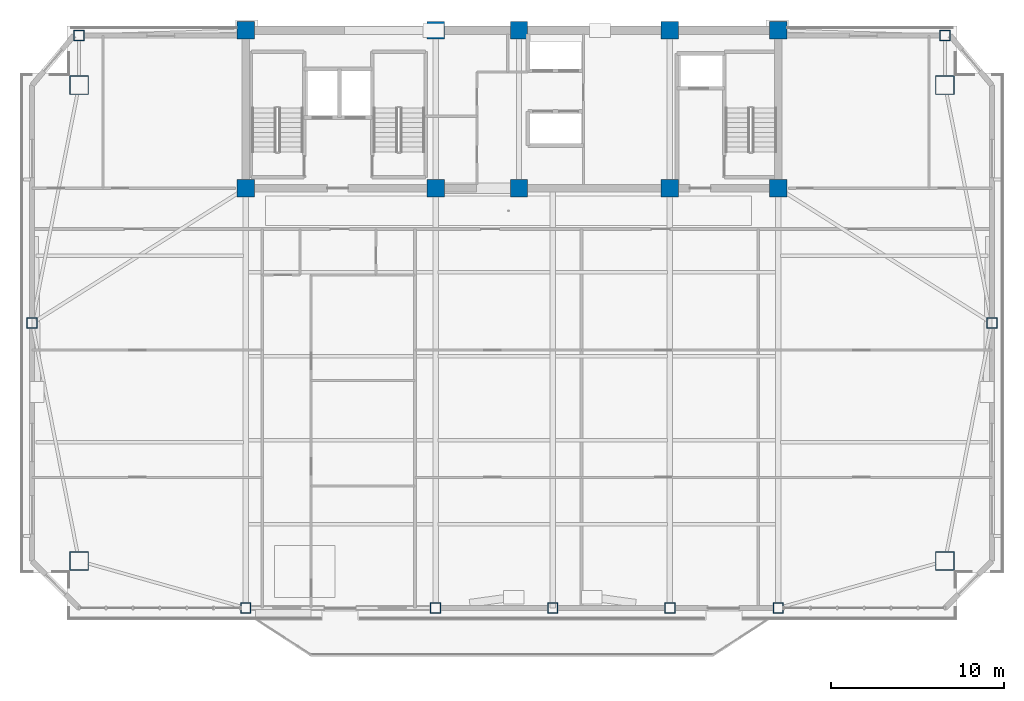
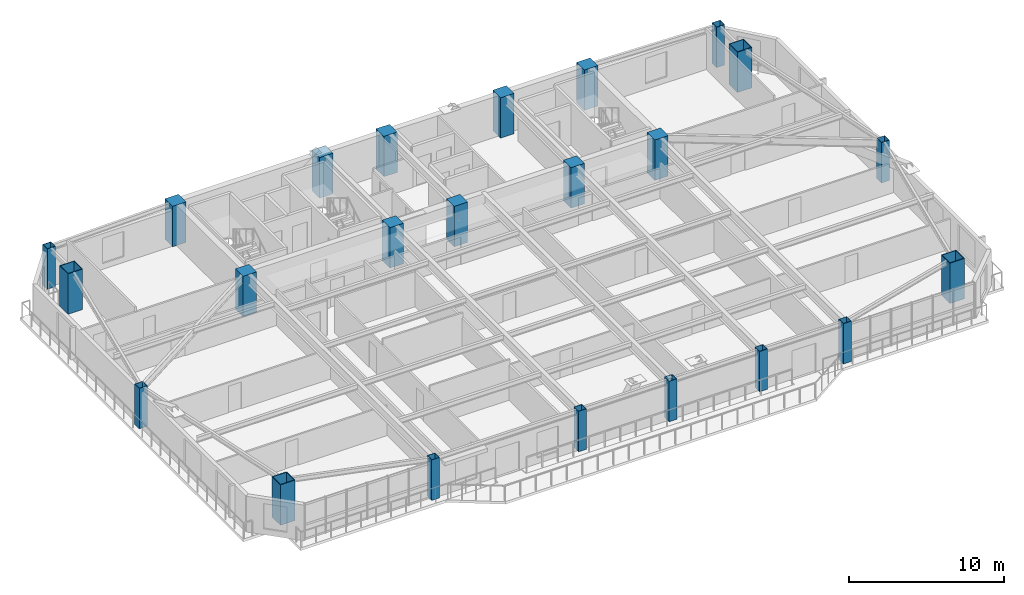
# One storey, part 1 of 16: 23 columns.
"""IFC4 building model written with IfcOpenShell, lengths in metres."""

import ifcopenshell
import ifcopenshell.guid

model = None  # the IFC model being written
_history = None  # IfcOwnerHistory: only IFC2X3 demands one
_inside = {}  # id of a spatial element -> (the spatial element, [elements in it])
_under = {}  # id of a project, library or spatial element -> (it, [spatial elements below it])
_declared = {}  # id of a project -> (the project, [libraries it declares])
_typed = {}  # id of a type object -> (the type object, [elements of that type])
_made_of = {}  # id of a material, layer set ... -> (it, [elements and type objects made of it])


def new_model(schema):
    """Start an empty IFC model of exactly this schema.

    Asked for "IFC4X3", IfcOpenShell would pick the latest addendum, in which some entities
    have other attributes; the version numbers below select the first issue.
    IFC2X3 requires an IfcOwnerHistory on every rooted entity: one is made here for all.
    """
    global model, _history
    if schema == "IFC4X3":
        model = ifcopenshell.file(schema_version=(4, 3, 0, 0))
    else:
        model = ifcopenshell.file(schema=schema)
    _inside.clear()
    _under.clear()
    _declared.clear()
    _typed.clear()
    _made_of.clear()
    _history = None
    if model.schema == "IFC2X3":
        org = make("IfcOrganization", Name="unknown")
        user = make(
            "IfcPersonAndOrganization",
            ThePerson=make("IfcPerson", FamilyName="unknown"),
            TheOrganization=org,
        )
        app = make(
            "IfcApplication",
            ApplicationDeveloper=org,
            Version="unknown",
            ApplicationFullName="unknown",
            ApplicationIdentifier="unknown",
        )
        _history = make(
            "IfcOwnerHistory",
            OwningUser=user,
            OwningApplication=app,
            ChangeAction="ADDED",
            CreationDate=0,
        )
    return model


def make(cls, **values):
    """One entity of the class cls with the attributes given. An attribute that is None is left unset."""
    return model.create_entity(
        cls, **{name: value for name, value in values.items() if value is not None}
    )


def rooted(cls, **values):
    """An entity with a GlobalId (a new one), such as an element, a storey or a relation."""
    return make(cls, GlobalId=ifcopenshell.guid.new(), OwnerHistory=_history, **values)


def si_unit(unit_type, name, prefix=None):
    """IfcSIUnit, for example si_unit("LENGTHUNIT", "METRE", prefix="MILLI")."""
    return make("IfcSIUnit", UnitType=unit_type, Prefix=prefix, Name=name)


def assignment(units):
    """IfcUnitAssignment: the units of a project."""
    return None if units is None else make("IfcUnitAssignment", Units=units)


def point(xyz):
    """IfcCartesianPoint."""
    return None if xyz is None else make("IfcCartesianPoint", Coordinates=xyz)


def direction(xyz):
    """IfcDirection."""
    return None if xyz is None else make("IfcDirection", DirectionRatios=xyz)


def frame(location, z_axis=None, x_axis=None):
    """IfcAxis2Placement3D, a coordinate frame: its origin and axes. An axis left out is left unset."""
    return make(
        "IfcAxis2Placement3D",
        Location=point(location),
        Axis=direction(z_axis),
        RefDirection=direction(x_axis),
    )


def frame_2d(location, x_axis=None):
    """IfcAxis2Placement2D, a coordinate frame in the plane: its origin and x axis."""
    return make(
        "IfcAxis2Placement2D", Location=point(location), RefDirection=direction(x_axis)
    )


def origin():
    """The frame at (0, 0, 0) with its axes left unset."""
    return frame((0.0, 0.0, 0.0))


def origin_2d():
    """The frame at (0, 0) in the plane with its x axis left unset."""
    return frame_2d((0.0, 0.0))


def place(relative_to, where):
    """IfcLocalPlacement: puts the frame where relative to a parent placement (None: the world)."""
    return make(
        "IfcLocalPlacement", PlacementRelTo=relative_to, RelativePlacement=where
    )


def context(
    kind, dimensions, precision=None, world=None, true_north=None, identifier=None
):
    """IfcGeometricRepresentationContext, for example the 3D "Model" context."""
    return make(
        "IfcGeometricRepresentationContext",
        ContextIdentifier=identifier,
        ContextType=kind,
        CoordinateSpaceDimension=dimensions,
        Precision=precision,
        WorldCoordinateSystem=world,
        TrueNorth=true_north,
    )


def subcontext(parent, identifier, kind, view, scale=None):
    """IfcGeometricRepresentationSubContext, for example "Body" below "Model"."""
    return make(
        "IfcGeometricRepresentationSubContext",
        ContextIdentifier=identifier,
        ContextType=kind,
        ParentContext=parent,
        TargetScale=scale,
        TargetView=view,
    )


def project(units=None, contexts=None):
    """IfcProject with its units and contexts."""
    return rooted(
        "IfcProject",
        Name="project",
        RepresentationContexts=contexts,
        UnitsInContext=assignment(units),
    )


def spatial(cls, under=None, at=None, **own):
    """A site, building, storey or space (cls), placed at a placement, below another one or the project."""
    s = rooted(cls, ObjectPlacement=at, **own)
    if under is not None:
        _under.setdefault(under.id(), (under, []))[1].append(s)
    return s


def profile(cls, at=None, kind="AREA", **sizes):
    """A parametric profile (cls). Its sizes go by their IFC names, for example OverallWidth=200.0."""
    return make(cls, ProfileType=kind, Position=at, **sizes)


def rectangle(**sizes):
    """IfcRectangleProfileDef."""
    return profile("IfcRectangleProfileDef", **sizes)


def hollow_rectangle(**sizes):
    """IfcRectangleHollowProfileDef."""
    return profile("IfcRectangleHollowProfileDef", **sizes)


def extrude(swept, where, along, depth):
    """IfcExtrudedAreaSolid: the profile swept, set in the frame where, extruded along a direction by depth."""
    return make(
        "IfcExtrudedAreaSolid",
        SweptArea=swept,
        Position=where,
        ExtrudedDirection=direction(along),
        Depth=depth,
    )


def shape(context_of_items, identifier, shape_type, items):
    """IfcShapeRepresentation: the items that make up one representation, for example the "Body"."""
    return make(
        "IfcShapeRepresentation",
        ContextOfItems=context_of_items,
        RepresentationIdentifier=identifier,
        RepresentationType=shape_type,
        Items=items,
    )


def source(mapping_origin, context_of_items, identifier, shape_type, items):
    """IfcRepresentationMap: a shape defined once, which mapped items show again and again."""
    return make(
        "IfcRepresentationMap",
        MappingOrigin=mapping_origin,
        MappedRepresentation=shape(context_of_items, identifier, shape_type, items),
    )


def transform(
    local_origin,
    x_axis=None,
    y_axis=None,
    z_axis=None,
    scale=None,
    scale2=None,
    scale3=None,
    uniform=True,
):
    """IfcCartesianTransformationOperator3D, or its non-uniform kind. x_axis, y_axis, z_axis: its Axis1, 2, 3."""
    if uniform:
        return make(
            "IfcCartesianTransformationOperator3D",
            Axis1=direction(x_axis),
            Axis2=direction(y_axis),
            LocalOrigin=point(local_origin),
            Scale=scale,
            Axis3=direction(z_axis),
        )
    return make(
        "IfcCartesianTransformationOperator3DnonUniform",
        Axis1=direction(x_axis),
        Axis2=direction(y_axis),
        LocalOrigin=point(local_origin),
        Scale=scale,
        Axis3=direction(z_axis),
        Scale2=scale2,
        Scale3=scale3,
    )


def mapped(mapping_source, mapping_target):
    """IfcMappedItem: shows the shape of a source again, moved by a transform."""
    return make(
        "IfcMappedItem", MappingSource=mapping_source, MappingTarget=mapping_target
    )


def material(Name=None, Category=None):
    """IfcMaterial."""
    return make("IfcMaterial", Name=Name, Category=Category)


def material_profile(
    of_material, cross_section, Name=None, Category=None, Priority=None
):
    """IfcMaterialProfile: a cross section and its material."""
    return make(
        "IfcMaterialProfile",
        Name=Name,
        Material=of_material,
        Profile=cross_section,
        Priority=Priority,
        Category=Category,
    )


def profile_set(profiles, Name=None, composite=None):
    """IfcMaterialProfileSet."""
    return make(
        "IfcMaterialProfileSet",
        Name=Name,
        MaterialProfiles=profiles,
        CompositeProfile=composite,
    )


def made_of(thing, what):
    """Note that an element or type object is made of a material, layer set ...; save() writes the relation."""
    if what is not None:
        _made_of.setdefault(what.id(), (what, []))[1].append(thing)
    return thing


def type_object(cls, material=None, **own):
    """A type object (cls), such as IfcWallType, which elements share."""
    return made_of(rooted(cls, **own), material)


def element(
    cls,
    number,
    at=None,
    inside=None,
    cuts=None,
    type_object=None,
    material=None,
    context=None,
    identifier="Body",
    shape_type=None,
    held_by="IfcProductDefinitionShape",
    body=None,
    shapes=None,
    **own,
):
    """One element of the class cls, such as IfcWall. Its Tag is "e" and its number.

    at: its placement. inside: the storey or other place that contains it. cuts: it is an
    opening in that element (IfcRelVoidsElement). A single representation is given by context,
    identifier, shape_type and body (its items); several are given by shapes. held_by: the class
    of the entity that holds the representations. save() writes the other relations.
    """
    e = rooted(cls, Tag="e%d" % number, ObjectPlacement=at, **own)
    if body is not None:
        shapes = [shape(context, identifier, shape_type, body)]
    if shapes is not None:
        e.Representation = make(held_by, Representations=shapes)
    if inside is not None:
        _inside.setdefault(inside.id(), (inside, []))[1].append(e)
    if cuts is not None:
        rooted(
            "IfcRelVoidsElement", RelatingBuildingElement=cuts, RelatedOpeningElement=e
        )
    if type_object is not None:
        _typed.setdefault(type_object.id(), (type_object, []))[1].append(e)
    return made_of(e, material)


def aggregate(whole, parts):
    """IfcRelAggregates: a whole, such as a stair, and the parts it consists of."""
    return rooted("IfcRelAggregates", RelatingObject=whole, RelatedObjects=parts)


def save(model, path):
    """Write the relations noted so far, then the file.

    IfcRelAggregates (storeys below a building ...), IfcRelContainedInSpatialStructure (elements
    in a storey), IfcRelDefinesByType, IfcRelAssociatesMaterial and IfcRelDeclares: one each for
    every whole, place, type object, material and project.
    """
    for whole, parts in _under.values():
        aggregate(whole, parts)
    for where, things in _inside.values():
        rooted(
            "IfcRelContainedInSpatialStructure",
            RelatedElements=things,
            RelatingStructure=where,
        )
    for kind, things in _typed.values():
        rooted("IfcRelDefinesByType", RelatedObjects=things, RelatingType=kind)
    for what, things in _made_of.values():
        rooted("IfcRelAssociatesMaterial", RelatedObjects=things, RelatingMaterial=what)
    for by, libraries in _declared.values():
        rooted("IfcRelDeclares", RelatingContext=by, RelatedDefinitions=libraries)
    model.write(path)


model = new_model("IFC4")

# Units and contexts
model_context = context("Model", 3, precision=1e-05, world=origin(), true_north=direction((0.0, 1.0)))
body_context = subcontext(model_context, "Body", "Model", "MODEL_VIEW")
ifc_project = project(units=[si_unit("LENGTHUNIT", "METRE"), si_unit("AREAUNIT", "SQUARE_METRE"), si_unit("VOLUMEUNIT", "CUBIC_METRE"), si_unit("PLANEANGLEUNIT", "RADIAN"), si_unit("MASSUNIT", "GRAM", prefix="KILO")], contexts=[model_context])

# Site, building, storey
site_placement = place(None, origin())
site = spatial("IfcSite", under=ifc_project, at=site_placement, CompositionType="ELEMENT")
building_placement = place(site_placement, origin())
building = spatial("IfcBuilding", under=site, at=building_placement, Name="Giltprow Tower", CompositionType="ELEMENT")
storey_placement = place(building_placement, frame((0.0, 0.0, 230.39990234375)))
storey = spatial("IfcBuildingStorey", under=building, at=storey_placement, Name="L58", CompositionType="ELEMENT", Elevation=230.39990234375)

# Columns
ifc_material_1 = material(Name="Concrete C50", Category="concrete")
ifc_material_profile_1 = material_profile(ifc_material_1, rectangle(XDim=1.0, YDim=1.0, at=origin_2d()), Name="RC 1000x1000")
ifc_profile_set_1 = profile_set([ifc_material_profile_1], Name="Concrete C50")
column_type_1 = type_object("IfcColumnType", Name="PIL-RC-1000-C50", PredefinedType="PILASTER", material=ifc_profile_set_1)
shared_shape_1 = source(origin(), body_context, "Body", "SweptSolid", [
    extrude(rectangle(XDim=1.0, YDim=1.0, at=origin_2d()), origin(), (0.0, 0.0, 1.0), 3.18505859375),
])
for number, where, z_axis, x_axis, name in (
    (1, (19.85009765625, 37.449951171875, 0.0), (0.0, 0.0, 1.0), (1.0, 0.0, 0.0), "L58 Core Boundary Pilaster 1-1"),
    (2, (19.85009765625, 46.550048828125, 0.0), (0.0, 0.0, 1.0), (1.0, 0.0, 0.0), "L58 Core Boundary Pilaster 1-2"),
    (3, (30.800048828125, 37.449951171875, 0.0), (0.0, 0.0, 1.0), (1.0, 0.0, 0.0), "L58 Core Boundary Pilaster 2-1"),
    (4, (30.800048828125, 46.550048828125, 0.0), (0.0, 0.0, 1.0), (1.0, 0.0, 0.0), "L58 Core Boundary Pilaster 2-2"),
    (5, (35.60009765625, 37.449951171875, 0.0), (0.0, 0.0, 1.0), (1.0, 0.0, 0.0), "L58 Core Boundary Pilaster 3-1"),
    (6, (35.60009765625, 46.550048828125, 0.0), (0.0, 0.0, 1.0), (1.0, 0.0, 0.0), "L58 Core Boundary Pilaster 3-2"),
    (7, (44.300048828125, 37.449951171875, 0.0), (0.0, 0.0, 1.0), (1.0, 0.0, 0.0), "L58 Core Boundary Pilaster 4-1"),
    (8, (44.300048828125, 46.550048828125, 0.0), (0.0, 0.0, 1.0), (1.0, 0.0, 0.0), "L58 Core Boundary Pilaster 4-2"),
    (9, (50.550048828125, 37.449951171875, 0.0), (0.0, 0.0, 1.0), (1.0, 0.0, 0.0), "L58 Core Boundary Pilaster 5-1"),
    (10, (50.550048828125, 46.550048828125, 0.0), (0.0, 0.0, 1.0), (1.0, 0.0, 0.0), "L58 Core Boundary Pilaster 5-2"),
):
    element("IfcColumn", number, at=place(storey_placement, frame(where, z_axis=z_axis, x_axis=x_axis)), inside=storey, type_object=column_type_1, Name=name, PredefinedType="PILASTER", context=body_context, shape_type="MappedRepresentation", body=[
        mapped(shared_shape_1, transform((0.0, 0.0, 0.0), x_axis=(1.0, 0.0, 0.0), y_axis=(0.0, 1.0, 0.0), z_axis=(0.0, 0.0, 1.0), scale=1.0)),
    ])
ifc_material_2 = material(Name="Structural steel Q420GJC", Category="steel")
ifc_material_profile_2 = material_profile(ifc_material_2, hollow_rectangle(XDim=1.10009765625, YDim=1.10009765625, WallThickness=0.050048828125, at=origin_2d()), Name="BOX 1100x1100x50")
ifc_profile_set_2 = profile_set([ifc_material_profile_2], Name="Structural steel Q420GJC")
column_type_2 = type_object("IfcColumnType", Name="COL-BOX-1100x1100x50", PredefinedType="COLUMN", material=ifc_profile_set_2)
shared_shape_2 = source(origin(), body_context, "Body", "SweptSolid", [
    extrude(hollow_rectangle(XDim=1.10009765625, YDim=1.10009765625, WallThickness=0.050048828125, at=origin_2d()), origin(), (0.0, 0.0, 1.0), 3.18505859375),
])
for number, where, z_axis, x_axis, name in (
    (11, (10.239990234375, 15.95703125, 0.0), (0.0, 0.0, 1.0), (1.0, 0.0, 0.0), "L58 Mega-Column MC_SW"),
    (12, (60.159912109375, 15.95703125, 0.0), (0.0, 0.0, 1.0), (1.0, 0.0, 0.0), "L58 Mega-Column MC_SE"),
    (13, (10.239990234375, 43.39306640625, 0.0), (0.0, 0.0, 1.0), (1.0, 0.0, 0.0), "L58 Mega-Column MC_NW"),
    (14, (60.159912109375, 43.39306640625, 0.0), (0.0, 0.0, 1.0), (1.0, 0.0, 0.0), "L58 Mega-Column MC_NE"),
):
    element("IfcColumn", number, at=place(storey_placement, frame(where, z_axis=z_axis, x_axis=x_axis)), inside=storey, type_object=column_type_2, Name=name, PredefinedType="COLUMN", context=body_context, shape_type="MappedRepresentation", body=[
        mapped(shared_shape_2, transform((0.0, 0.0, 0.0), x_axis=(1.0, 0.0, 0.0), y_axis=(0.0, 1.0, 0.0), z_axis=(0.0, 0.0, 1.0), scale=1.0)),
    ])
ifc_material_3 = material(Name="Structural steel Q355B", Category="steel")
ifc_material_profile_3 = material_profile(ifc_material_3, hollow_rectangle(XDim=0.60009765625, YDim=0.60009765625, WallThickness=0.028076171875, at=origin_2d()), Name="BOX 600x600x28")
ifc_profile_set_3 = profile_set([ifc_material_profile_3], Name="Structural steel Q355B")
column_type_3 = type_object("IfcColumnType", Name="COL-BOX-600x600x28", PredefinedType="COLUMN", material=ifc_profile_set_3)
shared_shape_3 = source(origin(), body_context, "Body", "SweptSolid", [
    extrude(hollow_rectangle(XDim=0.60009765625, YDim=0.60009765625, WallThickness=0.028076171875, at=origin_2d()), origin(), (0.0, 0.0, 1.0), 3.18505859375),
])
for number, where, z_axis, x_axis, name in (
    (15, (19.85009765625, 13.25, 0.0), (0.0, 0.0, 1.0), (1.0, 0.0, 0.0), "L58 Perimeter Column S1"),
    (16, (30.800048828125, 13.25, 0.0), (0.0, 0.0, 1.0), (1.0, 0.0, 0.0), "L58 Perimeter Column S2"),
    (17, (37.550048828125, 13.25, 0.0), (0.0, 0.0, 1.0), (1.0, 0.0, 0.0), "L58 Perimeter Column S_MID"),
    (18, (44.300048828125, 13.25, 0.0), (0.0, 0.0, 1.0), (1.0, 0.0, 0.0), "L58 Perimeter Column S3"),
    (19, (50.550048828125, 13.25, 0.0), (0.0, 0.0, 1.0), (1.0, 0.0, 0.0), "L58 Perimeter Column S4"),
    (20, (7.532958984375, 29.675048828125, 0.0), (0.0, 0.0, 1.0), (1.0, 0.0, 0.0), "L58 Perimeter Column W_MID"),
    (21, (62.866943359375, 29.675048828125, 0.0), (0.0, 0.0, 1.0), (1.0, 0.0, 0.0), "L58 Perimeter Column E_MID"),
    (22, (10.239990234375, 46.25, 0.0), (0.0, 0.0, 1.0), (1.0, 0.0, 0.0), "L58 Perimeter Column N_W"),
    (23, (60.159912109375, 46.25, 0.0), (0.0, 0.0, 1.0), (1.0, 0.0, 0.0), "L58 Perimeter Column N_E"),
):
    element("IfcColumn", number, at=place(storey_placement, frame(where, z_axis=z_axis, x_axis=x_axis)), inside=storey, type_object=column_type_3, Name=name, PredefinedType="COLUMN", context=body_context, shape_type="MappedRepresentation", body=[
        mapped(shared_shape_3, transform((0.0, 0.0, 0.0), x_axis=(1.0, 0.0, 0.0), y_axis=(0.0, 1.0, 0.0), z_axis=(0.0, 0.0, 1.0), scale=1.0)),
    ])

save(model, "model.ifc")
